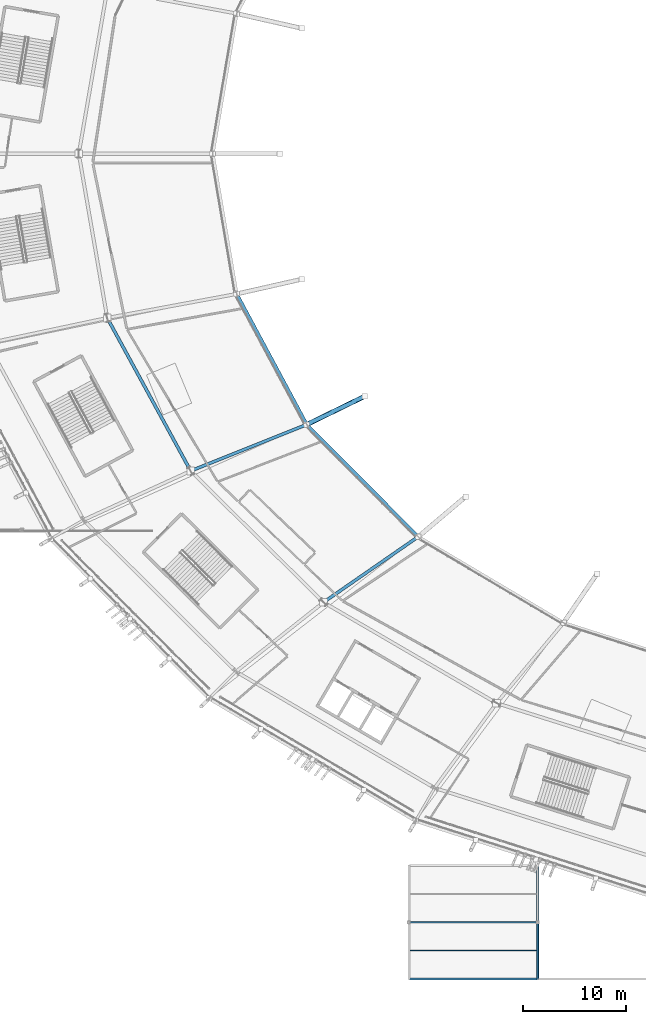
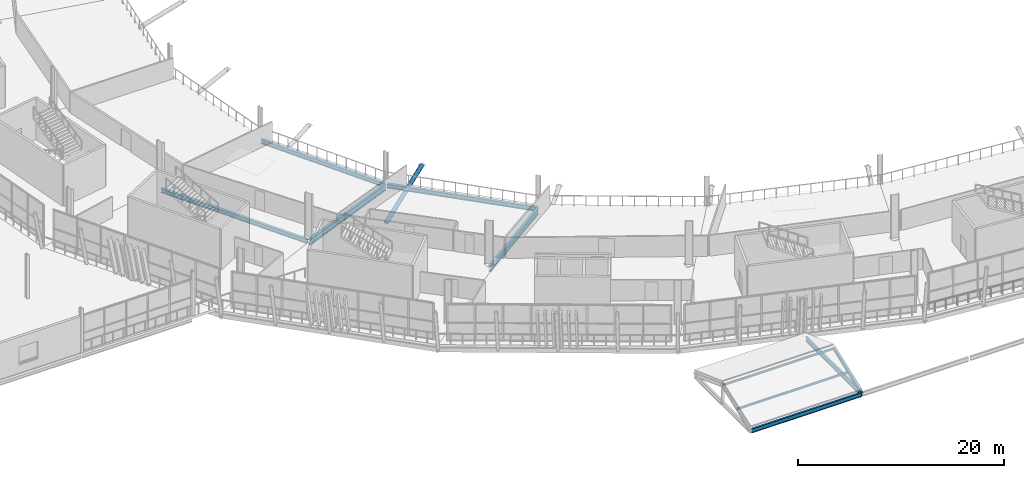
# One storey, part 28 of 168: 7 beams, 4 members.
"""IFC4 building model written with IfcOpenShell, lengths in metres."""

from ifc_helpers import new_model, si_unit, direction, frame, origin, origin_2d, place, context, subcontext, project, spatial, hollow_circle, i_section, extrude, material, material_profile, profile_set, type_object, element, save


model = new_model("IFC4")

# Units and contexts
model_context = context("Model", 3, precision=1e-05, world=origin(), true_north=direction((0.0, 1.0)))
body_context = subcontext(model_context, "Body", "Model", "MODEL_VIEW")
ifc_project = project(units=[si_unit("LENGTHUNIT", "METRE"), si_unit("AREAUNIT", "SQUARE_METRE"), si_unit("VOLUMEUNIT", "CUBIC_METRE"), si_unit("PLANEANGLEUNIT", "RADIAN"), si_unit("MASSUNIT", "GRAM", prefix="KILO")], contexts=[model_context])

# Site, building, storey
site_placement = place(None, origin())
site = spatial("IfcSite", under=ifc_project, at=site_placement, CompositionType="ELEMENT")
building_placement = place(site_placement, origin())
building = spatial("IfcBuilding", under=site, at=building_placement, Name="Zlatoyarsky Gate Stadium", CompositionType="ELEMENT")
storey_placement = place(building_placement, frame((0.0, 0.0, 15.60009765625)))
storey = spatial("IfcBuildingStorey", under=building, at=storey_placement, Name="L03", CompositionType="ELEMENT", Elevation=15.60009765625)

# Member
ifc_material = material(Name="Steel S355", Category="steel")
ifc_material_profile_1 = material_profile(ifc_material, hollow_circle(Radius=0.228515625, WallThickness=0.02490234375, at=origin_2d()), Name="CHS 457X25")
ifc_profile_set_1 = profile_set([ifc_material_profile_1], Name="Steel S355")
member_type_1 = type_object("IfcMemberType", Name="STEEL BACKSPAN TIE STRUT CHS 457X25", PredefinedType="STRUT", material=ifc_profile_set_1)
member_1_placement = place(storey_placement, frame((52.1103515625, 53.75, -5.0), z_axis=(0.797580275867, 0.389640639605, 0.46048439226), x_axis=(-0.438948714008, 0.898512118154, 0.0)))
element("IfcMember", 1, at=member_1_placement, inside=storey, type_object=member_type_1, Name="Upper tier cantilever strut 14", PredefinedType="STRUT", context=body_context, shape_type="SweptSolid", body=[
    extrude(hollow_circle(Radius=0.228515625, WallThickness=0.02490234375, at=origin_2d()), origin(), (0.0, 0.0, 1.0), 7.057861328125),
])

# Beams
ifc_material_profile_2 = material_profile(ifc_material, i_section(OverallWidth=0.199951171875, OverallDepth=0.5, WebThickness=0.01025390625, FlangeThickness=0.01611328125, FilletRadius=0.02099609375, at=origin_2d()), Name="IPE 500")
ifc_profile_set_2 = profile_set([ifc_material_profile_2], Name="Steel S355")
beam_type_1 = type_object("IfcBeamType", Name="STEEL FLOOR BEAM IPE 500", PredefinedType="BEAM", material=ifc_profile_set_2)
beam_1_placement = place(storey_placement, frame((62.080078125, 0.0, -0.530029296875), z_axis=(1.0, 0.0, 0.0), x_axis=(0.0, 1.0, 0.0)))
element("IfcBeam", 2, at=beam_1_placement, inside=storey, type_object=beam_type_1, Name="Beam B-IPE500 BM-L03-WGX-6-A", PredefinedType="BEAM", context=body_context, shape_type="SweptSolid", body=[
    extrude(i_section(OverallWidth=0.199951171875, OverallDepth=0.5, WebThickness=0.01025390625, FlangeThickness=0.01611328125, FilletRadius=0.02099609375, at=origin_2d()), origin(), (0.0, 0.0, 1.0), 12.33984375),
])
ifc_material_profile_3 = material_profile(ifc_material, i_section(OverallWidth=0.2099609375, OverallDepth=0.550048828125, WebThickness=0.010986328125, FlangeThickness=0.01708984375, FilletRadius=0.02392578125, at=origin_2d()), Name="IPE 550")
ifc_profile_set_3 = profile_set([ifc_material_profile_3], Name="Steel S355")
beam_type_2 = type_object("IfcBeamType", Name="STEEL FLOOR BEAM IPE 550", PredefinedType="BEAM", material=ifc_profile_set_3)
beam_2_placement = place(storey_placement, frame((74.5, 0.080078125, -0.55517578125), z_axis=(0.0, 1.0, 0.0), x_axis=(-1.0, 0.0, 0.0)))
element("IfcBeam", 3, at=beam_2_placement, inside=storey, type_object=beam_type_2, Name="Beam B-IPE550 BM-L03-WGY-7-A", PredefinedType="BEAM", context=body_context, shape_type="SweptSolid", body=[
    extrude(i_section(OverallWidth=0.2099609375, OverallDepth=0.550048828125, WebThickness=0.010986328125, FlangeThickness=0.01708984375, FilletRadius=0.02392578125, at=origin_2d()), origin(), (0.0, 0.0, 1.0), 10.83984375),
])

# Members
ifc_material_profile_4 = material_profile(ifc_material, i_section(OverallWidth=0.1201171875, OverallDepth=0.239990234375, WebThickness=0.006103515625, FlangeThickness=0.009765625, FilletRadius=0.014892578125, at=origin_2d()), Name="IPE 240")
ifc_profile_set_4 = profile_set([ifc_material_profile_4], Name="Steel S355")
member_type_2 = type_object("IfcMemberType", Name="STEEL PAVILION ROOF PURLIN IPE 240", PredefinedType="PURLIN", material=ifc_profile_set_4)
for number, where, z_axis, x_axis, name in (
    (4, (62.0, 5.5, 1.5498046875), (1.0, 0.0, 0.0), (0.0, 1.0, 0.0), "V3_SOUTH_W ridge purlin 1"),
    (5, (62.0, 2.75, 0.385009765625), (1.0, 0.0, 0.0), (0.0, 1.0, 0.0), "V3_SOUTH_W roof purlin 1S"),
):
    element("IfcMember", number, at=place(storey_placement, frame(where, z_axis=z_axis, x_axis=x_axis)), inside=storey, type_object=member_type_2, Name=name, PredefinedType="PURLIN", context=body_context, shape_type="SweptSolid", body=[
        extrude(i_section(OverallWidth=0.1201171875, OverallDepth=0.239990234375, WebThickness=0.006103515625, FlangeThickness=0.009765625, FilletRadius=0.014892578125, at=origin_2d()), origin(), (0.0, 0.0, 1.0), 12.5),
    ])
ifc_material_profile_5 = material_profile(ifc_material, i_section(OverallWidth=0.179931640625, OverallDepth=0.39990234375, WebThickness=0.008544921875, FlangeThickness=0.013427734375, FilletRadius=0.02099609375, at=origin_2d()), Name="IPE 400")
ifc_profile_set_5 = profile_set([ifc_material_profile_5], Name="Steel S355")
member_type_3 = type_object("IfcMemberType", Name="STEEL PAVILION ROOF RAFTER IPE 400", PredefinedType="RAFTER", material=ifc_profile_set_5)
member_2_placement = place(storey_placement, frame((74.5, 0.0, -0.5), z_axis=(0.0, 0.937038350514, 0.349226473318), x_axis=(-1.0, 0.0, 0.0)))
element("IfcMember", 6, at=member_2_placement, inside=storey, type_object=member_type_3, Name="V3_SOUTH_W roof rafter 2A", PredefinedType="RAFTER", context=body_context, shape_type="SweptSolid", body=[
    extrude(i_section(OverallWidth=0.179931640625, OverallDepth=0.39990234375, WebThickness=0.008544921875, FlangeThickness=0.013427734375, FilletRadius=0.02099609375, at=origin_2d()), origin(), (0.0, 0.0, 1.0), 5.86962890625),
])

# Beams
ifc_material_profile_6 = material_profile(ifc_material, i_section(OverallWidth=0.300048828125, OverallDepth=0.5, WebThickness=0.014404296875, FlangeThickness=0.028076171875, FilletRadius=0.027099609375, at=origin_2d()), Name="HEB 500")
ifc_profile_set_6 = profile_set([ifc_material_profile_6], Name="Steel S355")
beam_type_3 = type_object("IfcBeamType", Name="STEEL PRIMARY GIRDER HEB 500", PredefinedType="BEAM", material=ifc_profile_set_6)
beam_3_placement = place(storey_placement, frame((45.373779296875, 66.306396484375, -0.530029296875), z_axis=(0.472766984781, -0.881187481812, 0.0), x_axis=(0.881187481812, 0.472766984781, 0.0)))
element("IfcBeam", 7, at=beam_3_placement, inside=storey, type_object=beam_type_3, Name="Beam G-HEB500 BM-L03-CRA-13", PredefinedType="BEAM", context=body_context, shape_type="SweptSolid", body=[
    extrude(i_section(OverallWidth=0.300048828125, OverallDepth=0.5, WebThickness=0.014404296875, FlangeThickness=0.028076171875, FilletRadius=0.027099609375, at=origin_2d()), origin(), (0.0, 0.0, 1.0), 14.12939453125),
])
beam_4_placement = place(storey_placement, frame((32.8173828125, 63.977294921875, -0.530029296875), z_axis=(0.478915800408, -0.877860840976, 0.0), x_axis=(0.877860840976, 0.478915800408, 0.0)))
element("IfcBeam", 8, at=beam_4_placement, inside=storey, type_object=beam_type_3, Name="Beam G-HEB500 BM-L03-CRB-13", PredefinedType="BEAM", context=body_context, shape_type="SweptSolid", body=[
    extrude(i_section(OverallWidth=0.300048828125, OverallDepth=0.5, WebThickness=0.014404296875, FlangeThickness=0.028076171875, FilletRadius=0.027099609375, at=origin_2d()), origin(), (0.0, 0.0, 1.0), 16.656494140625),
])
beam_5_placement = place(storey_placement, frame((52.19482421875, 53.664794921875, -0.530029296875), z_axis=(0.704927331607, -0.709279533861, 0.0), x_axis=(0.709279533861, 0.704927331607, 0.0)))
element("IfcBeam", 9, at=beam_5_placement, inside=storey, type_object=beam_type_3, Name="Beam G-HEB500 BM-L03-CRA-14", PredefinedType="BEAM", context=body_context, shape_type="SweptSolid", body=[
    extrude(i_section(OverallWidth=0.300048828125, OverallDepth=0.5, WebThickness=0.014404296875, FlangeThickness=0.028076171875, FilletRadius=0.027099609375, at=origin_2d()), origin(), (0.0, 0.0, 1.0), 15.08984375),
])
ifc_material_profile_7 = material_profile(ifc_material, i_section(OverallWidth=0.300048828125, OverallDepth=0.699951171875, WebThickness=0.01708984375, FlangeThickness=0.031982421875, FilletRadius=0.027099609375, at=origin_2d()), Name="HEB 700")
ifc_profile_set_7 = profile_set([ifc_material_profile_7], Name="Steel S355")
beam_type_4 = type_object("IfcBeamType", Name="STEEL PRIMARY GIRDER HEB 700", PredefinedType="BEAM", material=ifc_profile_set_7)
beam_6_placement = place(storey_placement, frame((51.998779296875, 53.70556640625, -0.630126953125), z_axis=(-0.928564503985, -0.371171068295, 0.0), x_axis=(0.371171068295, -0.928564503985, 0.0)))
element("IfcBeam", 10, at=beam_6_placement, inside=storey, type_object=beam_type_4, Name="Beam G-HEB700 BM-L03-RAB-14", PredefinedType="BEAM", context=body_context, shape_type="SweptSolid", body=[
    extrude(i_section(OverallWidth=0.300048828125, OverallDepth=0.699951171875, WebThickness=0.01708984375, FlangeThickness=0.031982421875, FilletRadius=0.027099609375, at=origin_2d()), origin(), (0.0, 0.0, 1.0), 11.88427734375),
])
beam_7_placement = place(storey_placement, frame((62.818115234375, 42.80859375, -0.630126953125), z_axis=(-0.822196208432, -0.569204176758, 0.0), x_axis=(0.569204176758, -0.822196208432, 0.0)))
element("IfcBeam", 11, at=beam_7_placement, inside=storey, type_object=beam_type_4, Name="Beam G-HEB700 BM-L03-RAB-15", PredefinedType="BEAM", context=body_context, shape_type="SweptSolid", body=[
    extrude(i_section(OverallWidth=0.300048828125, OverallDepth=0.699951171875, WebThickness=0.01708984375, FlangeThickness=0.031982421875, FilletRadius=0.027099609375, at=origin_2d()), origin(), (0.0, 0.0, 1.0), 10.9404296875),
])

save(model, "model.ifc")
